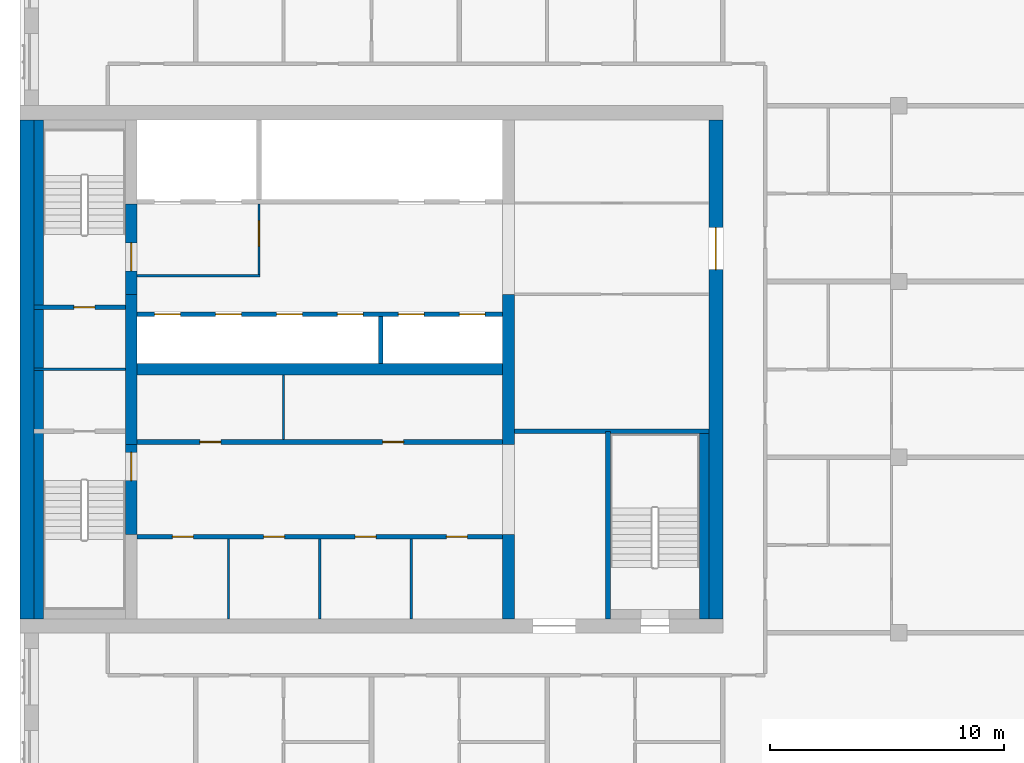
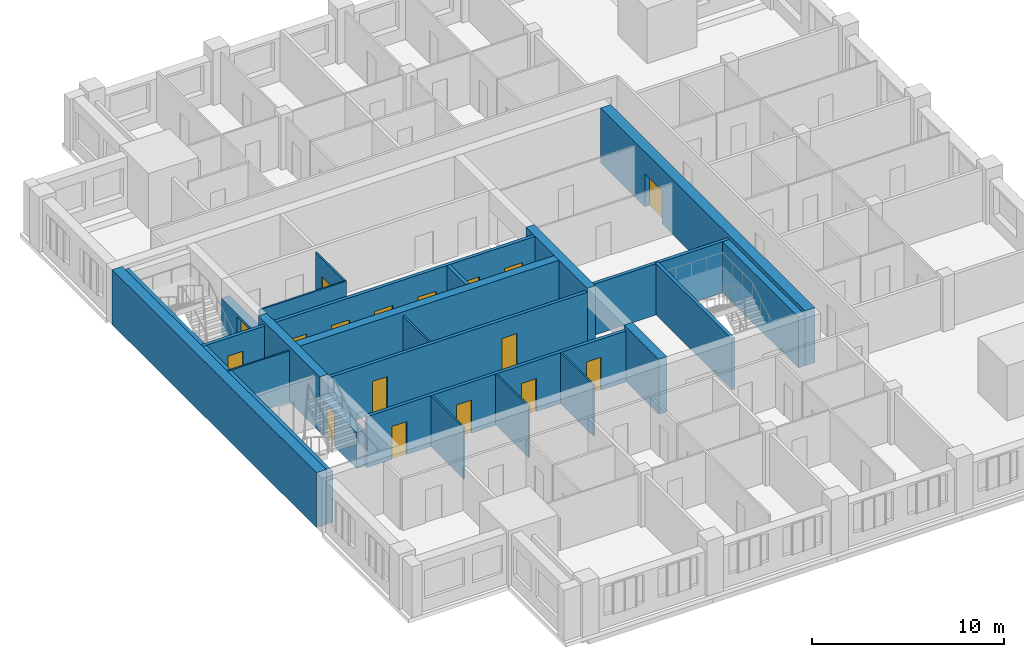
# One storey, part 4 of 10: 24 walls, 17 doors, 17 openings.
"""IFC4 building model written with IfcOpenShell, lengths in metres."""

from ifc_helpers import new_model, si_unit, direction, frame, frame_2d, origin, place, context, subcontext, project, spatial, rectangle, extrude, material, layer, layer_set, type_object, element, fill, save


model = new_model("IFC4")

# Units and contexts
model_context = context("Model", 3, precision=1e-05, world=origin(), true_north=direction((0.0, 1.0)))
body_context = subcontext(model_context, "Body", "Model", "MODEL_VIEW")
ifc_project = project(units=[si_unit("LENGTHUNIT", "METRE"), si_unit("AREAUNIT", "SQUARE_METRE"), si_unit("VOLUMEUNIT", "CUBIC_METRE"), si_unit("PLANEANGLEUNIT", "RADIAN"), si_unit("MASSUNIT", "GRAM", prefix="KILO")], contexts=[model_context])

# Site, building, storey
site_placement = place(None, origin())
site = spatial("IfcSite", under=ifc_project, at=site_placement, CompositionType="ELEMENT")
building_placement = place(site_placement, origin())
building = spatial("IfcBuilding", under=site, at=building_placement, Name="Tamorin Gate", CompositionType="ELEMENT")
storey_placement = place(building_placement, frame((0.0, 0.0, 276.699951171875)))
storey = spatial("IfcBuildingStorey", under=building, at=storey_placement, Name="L69", CompositionType="ELEMENT", Elevation=276.699951171875)

# Wall, openings, doors
ifc_material_1 = material(Name="Concrete C32/40", Category="concrete")
ifc_layer_1 = layer(ifc_material_1, 0.199951171875)
ifc_layer_set_1 = layer_set([ifc_layer_1], Name="Lift lobby face wall 200 EI 120")
wall_type_1 = type_object("IfcWallType", Name="Lift lobby face wall 200 EI 120", PredefinedType="SOLIDWALL", material=ifc_layer_set_1)
wall_1_placement = place(storey_placement, frame((35.0, 73.60009765625, 0.0), z_axis=(0.0, 0.0, 1.0), x_axis=(1.0, 0.0, 0.0)))
wall_1 = element("IfcWall", 1, at=wall_1_placement, inside=storey, type_object=wall_type_1, Name="Lift lobby face wall", PredefinedType="SOLIDWALL", context=body_context, shape_type="SweptSolid", body=[
    extrude(rectangle(XDim=15.60009765625, YDim=0.199951171875, at=frame_2d((7.800048828125, 0.0))), origin(), (0.0, 0.0, 1.0), 3.5),
])
opening_1_placement = place(wall_1_placement, frame((0.75, 0.0, 0.0)))
opening_1 = element("IfcOpeningElement", 2, at=opening_1_placement, cuts=wall_1, Name="Opening LD11", PredefinedType="OPENING", context=body_context, shape_type="SweptSolid", body=[
    extrude(rectangle(XDim=1.10009765625, YDim=2.10009765625, at=frame_2d((0.550048828125, 1.050048828125))), frame((0.0, 0.10986328125, 0.0), z_axis=(0.0, -1.0, 0.0), x_axis=(1.0, 0.0, 0.0)), (0.0, 0.0, 1.0), 0.219970703125),
])
opening_2_placement = place(wall_1_placement, frame((3.35009765625, 0.0, 0.0)))
opening_2 = element("IfcOpeningElement", 3, at=opening_2_placement, cuts=wall_1, Name="Opening LD12", PredefinedType="OPENING", context=body_context, shape_type="SweptSolid", body=[
    extrude(rectangle(XDim=1.10009765625, YDim=2.10009765625, at=frame_2d((0.550048828125, 1.050048828125))), frame((0.0, 0.10986328125, 0.0), z_axis=(0.0, -1.0, 0.0), x_axis=(1.0, 0.0, 0.0)), (0.0, 0.0, 1.0), 0.219970703125),
])
opening_3_placement = place(wall_1_placement, frame((5.949951171875, 0.0, 0.0)))
opening_3 = element("IfcOpeningElement", 4, at=opening_3_placement, cuts=wall_1, Name="Opening LD13", PredefinedType="OPENING", context=body_context, shape_type="SweptSolid", body=[
    extrude(rectangle(XDim=1.10009765625, YDim=2.10009765625, at=frame_2d((0.550048828125, 1.050048828125))), frame((0.0, 0.10986328125, 0.0), z_axis=(0.0, -1.0, 0.0), x_axis=(1.0, 0.0, 0.0)), (0.0, 0.0, 1.0), 0.219970703125),
])
opening_4_placement = place(wall_1_placement, frame((8.550048828125, 0.0, 0.0)))
opening_4 = element("IfcOpeningElement", 5, at=opening_4_placement, cuts=wall_1, Name="Opening LD14", PredefinedType="OPENING", context=body_context, shape_type="SweptSolid", body=[
    extrude(rectangle(XDim=1.10009765625, YDim=2.10009765625, at=frame_2d((0.550048828125, 1.050048828125))), frame((0.0, 0.10986328125, 0.0), z_axis=(0.0, -1.0, 0.0), x_axis=(1.0, 0.0, 0.0)), (0.0, 0.0, 1.0), 0.219970703125),
])
opening_5_placement = place(wall_1_placement, frame((11.14990234375, 0.0, 0.0)))
opening_5 = element("IfcOpeningElement", 6, at=opening_5_placement, cuts=wall_1, Name="Opening LD15", PredefinedType="OPENING", context=body_context, shape_type="SweptSolid", body=[
    extrude(rectangle(XDim=1.10009765625, YDim=2.10009765625, at=frame_2d((0.550048828125, 1.050048828125))), frame((0.0, 0.10986328125, 0.0), z_axis=(0.0, -1.0, 0.0), x_axis=(1.0, 0.0, 0.0)), (0.0, 0.0, 1.0), 0.219970703125),
])
opening_6_placement = place(wall_1_placement, frame((13.75, 0.0, 0.0)))
opening_6 = element("IfcOpeningElement", 7, at=opening_6_placement, cuts=wall_1, Name="Opening LD16", PredefinedType="OPENING", context=body_context, shape_type="SweptSolid", body=[
    extrude(rectangle(XDim=1.10009765625, YDim=2.10009765625, at=frame_2d((0.550048828125, 1.050048828125))), frame((0.0, 0.10986328125, 0.0), z_axis=(0.0, -1.0, 0.0), x_axis=(1.0, 0.0, 0.0)), (0.0, 0.0, 1.0), 0.219970703125),
])
ifc_material_2 = material(Name="Stainless steel sliding door", Category="steel")
door_type_1 = type_object("IfcDoorType", Name="Lift landing door 1100 x 2100 E 90", OperationType="DOUBLE_DOOR_SLIDING", PredefinedType="DOOR", material=ifc_material_2)
door_1_placement = place(opening_1_placement, origin())
door_1 = element("IfcDoor", 8, at=door_1_placement, inside=storey, type_object=door_type_1, Name="HR1 landing door", OperationType="DOUBLE_DOOR_SLIDING", OverallHeight=2.10009765625, OverallWidth=1.10009765625, PredefinedType="DOOR", context=body_context, shape_type="SweptSolid", body=[
    extrude(rectangle(XDim=1.10009765625, YDim=2.10009765625, at=frame_2d((0.550048828125, 1.050048828125))), frame((0.0, 0.02490234375, 0.0), z_axis=(0.0, -1.0, 0.0), x_axis=(1.0, 0.0, 0.0)), (0.0, 0.0, 1.0), 0.050048828125),
])
fill(opening_1, door_1)
door_2_placement = place(opening_2_placement, origin())
door_2 = element("IfcDoor", 9, at=door_2_placement, inside=storey, type_object=door_type_1, Name="HR2 landing door", OperationType="DOUBLE_DOOR_SLIDING", OverallHeight=2.10009765625, OverallWidth=1.10009765625, PredefinedType="DOOR", context=body_context, shape_type="SweptSolid", body=[
    extrude(rectangle(XDim=1.10009765625, YDim=2.10009765625, at=frame_2d((0.550048828125, 1.050048828125))), frame((0.0, 0.02490234375, 0.0), z_axis=(0.0, -1.0, 0.0), x_axis=(1.0, 0.0, 0.0)), (0.0, 0.0, 1.0), 0.050048828125),
])
fill(opening_2, door_2)
door_3_placement = place(opening_3_placement, origin())
door_3 = element("IfcDoor", 10, at=door_3_placement, inside=storey, type_object=door_type_1, Name="HR3 landing door", OperationType="DOUBLE_DOOR_SLIDING", OverallHeight=2.10009765625, OverallWidth=1.10009765625, PredefinedType="DOOR", context=body_context, shape_type="SweptSolid", body=[
    extrude(rectangle(XDim=1.10009765625, YDim=2.10009765625, at=frame_2d((0.550048828125, 1.050048828125))), frame((0.0, 0.02490234375, 0.0), z_axis=(0.0, -1.0, 0.0), x_axis=(1.0, 0.0, 0.0)), (0.0, 0.0, 1.0), 0.050048828125),
])
fill(opening_3, door_3)
door_4_placement = place(opening_4_placement, origin())
door_4 = element("IfcDoor", 11, at=door_4_placement, inside=storey, type_object=door_type_1, Name="HR4 landing door", OperationType="DOUBLE_DOOR_SLIDING", OverallHeight=2.10009765625, OverallWidth=1.10009765625, PredefinedType="DOOR", context=body_context, shape_type="SweptSolid", body=[
    extrude(rectangle(XDim=1.10009765625, YDim=2.10009765625, at=frame_2d((0.550048828125, 1.050048828125))), frame((0.0, 0.02490234375, 0.0), z_axis=(0.0, -1.0, 0.0), x_axis=(1.0, 0.0, 0.0)), (0.0, 0.0, 1.0), 0.050048828125),
])
fill(opening_4, door_4)
door_5_placement = place(opening_5_placement, origin())
door_5 = element("IfcDoor", 12, at=door_5_placement, inside=storey, type_object=door_type_1, Name="HR5 landing door", OperationType="DOUBLE_DOOR_SLIDING", OverallHeight=2.10009765625, OverallWidth=1.10009765625, PredefinedType="DOOR", context=body_context, shape_type="SweptSolid", body=[
    extrude(rectangle(XDim=1.10009765625, YDim=2.10009765625, at=frame_2d((0.550048828125, 1.050048828125))), frame((0.0, 0.02490234375, 0.0), z_axis=(0.0, -1.0, 0.0), x_axis=(1.0, 0.0, 0.0)), (0.0, 0.0, 1.0), 0.050048828125),
])
fill(opening_5, door_5)
door_6_placement = place(opening_6_placement, origin())
door_6 = element("IfcDoor", 13, at=door_6_placement, inside=storey, type_object=door_type_1, Name="HR6 landing door", OperationType="DOUBLE_DOOR_SLIDING", OverallHeight=2.10009765625, OverallWidth=1.10009765625, PredefinedType="DOOR", context=body_context, shape_type="SweptSolid", body=[
    extrude(rectangle(XDim=1.10009765625, YDim=2.10009765625, at=frame_2d((0.550048828125, 1.050048828125))), frame((0.0, 0.02490234375, 0.0), z_axis=(0.0, -1.0, 0.0), x_axis=(1.0, 0.0, 0.0)), (0.0, 0.0, 1.0), 0.050048828125),
])
fill(opening_6, door_6)

# Walls
ifc_layer_2 = layer(ifc_material_1, 0.199951171875)
ifc_layer_set_2 = layer_set([ifc_layer_2], Name="Lift shaft wall 200 EI 120")
wall_type_2 = type_object("IfcWallType", Name="Lift shaft wall 200 EI 120", PredefinedType="SOLIDWALL", material=ifc_layer_set_2)
wall_2_placement = place(storey_placement, frame((45.39990234375, 71.5, 0.0), z_axis=(0.0, 0.0, 1.0), x_axis=(0.0, 1.0, 0.0)))
element("IfcWall", 14, at=wall_2_placement, inside=storey, type_object=wall_type_2, Name="Lift shaft wall", PredefinedType="SOLIDWALL", context=body_context, shape_type="SweptSolid", body=[
    extrude(rectangle(XDim=2.0, YDim=0.199951171875, at=frame_2d((1.0, 0.0))), origin(), (0.0, 0.0, 1.0), 3.5),
])
ifc_material_3 = material(Name="Fire-rated gypsum board partition")
ifc_layer_3 = layer(ifc_material_3, 0.10009765625)
ifc_layer_set_3 = layer_set([ifc_layer_3], Name="Lobby wall 100 EI 60")
wall_type_3 = type_object("IfcWallType", Name="Lobby wall 100 EI 60", PredefinedType="PARTITIONING", material=ifc_layer_set_3)
wall_3_placement = place(storey_placement, frame((35.0, 75.25, 0.0), z_axis=(0.0, 0.0, 1.0), x_axis=(1.0, 0.0, 0.0)))
element("IfcWall", 15, at=wall_3_placement, inside=storey, type_object=wall_type_3, Name="Firefighting lobby wall", PredefinedType="PARTITIONING", context=body_context, shape_type="SweptSolid", body=[
    extrude(rectangle(XDim=5.25, YDim=0.10009765625, at=frame_2d((2.625, 0.0))), origin(), (0.0, 0.0, 1.0), 3.25),
])

# Wall, opening, door
wall_4_placement = place(storey_placement, frame((40.199951171875, 75.300048828125, 0.0), z_axis=(0.0, 0.0, 1.0), x_axis=(0.0, 1.0, 0.0)))
wall_4 = element("IfcWall", 16, at=wall_4_placement, inside=storey, type_object=wall_type_3, Name="Firefighting lobby wall", PredefinedType="PARTITIONING", context=body_context, shape_type="SweptSolid", body=[
    extrude(rectangle(XDim=3.0, YDim=0.10009765625, at=frame_2d((1.5, 0.0))), origin(), (0.0, 0.0, 1.0), 3.25),
])
opening_7_placement = place(wall_4_placement, frame((1.199951171875, 0.0, 0.0)))
opening_7 = element("IfcOpeningElement", 17, at=opening_7_placement, cuts=wall_4, Name="Opening DF1", PredefinedType="OPENING", context=body_context, shape_type="SweptSolid", body=[
    extrude(rectangle(XDim=1.10009765625, YDim=2.10009765625, at=frame_2d((0.550048828125, 1.050048828125))), frame((0.0, 0.06005859375, 0.0), z_axis=(0.0, -1.0, 0.0), x_axis=(1.0, 0.0, 0.0)), (0.0, 0.0, 1.0), 0.1201171875),
])
ifc_material_4 = material(Name="Steel fire door", Category="steel")
door_type_2 = type_object("IfcDoorType", Name="Firefighting lobby door 1100 x 2100 EI 90", OperationType="SINGLE_SWING_LEFT", PredefinedType="DOOR", material=ifc_material_4)
door_7_placement = place(opening_7_placement, origin())
door_7 = element("IfcDoor", 18, at=door_7_placement, inside=storey, type_object=door_type_2, Name="Firefighting lobby door", OperationType="SINGLE_SWING_LEFT", OverallHeight=2.10009765625, OverallWidth=1.10009765625, PredefinedType="DOOR", context=body_context, shape_type="SweptSolid", body=[
    extrude(rectangle(XDim=1.10009765625, YDim=2.10009765625, at=frame_2d((0.550048828125, 1.050048828125))), frame((0.0, 0.02490234375, 0.0), z_axis=(0.0, -1.0, 0.0), x_axis=(1.0, 0.0, 0.0)), (0.0, 0.0, 1.0), 0.050048828125),
])
fill(opening_7, door_7)

# Walls
ifc_material_5 = material(Name="Concrete C50/60", Category="concrete")
ifc_layer_4 = layer(ifc_material_5, 0.5)
ifc_layer_set_4 = layer_set([ifc_layer_4], Name="RC core internal wall 500 C50/60")
wall_type_4 = type_object("IfcWallType", Name="RC core internal wall 500 C50/60", PredefinedType="SHEAR", material=ifc_layer_set_4)
wall_5_placement = place(storey_placement, frame((35.0, 71.25, 0.0), z_axis=(0.0, 0.0, 1.0), x_axis=(1.0, 0.0, 0.0)))
element("IfcWall", 19, at=wall_5_placement, inside=storey, type_object=wall_type_4, Name="Core spine wall L69", PredefinedType="SHEAR", context=body_context, shape_type="SweptSolid", body=[
    extrude(rectangle(XDim=15.60009765625, YDim=0.5, at=frame_2d((7.800048828125, 0.0))), origin(), (0.0, 0.0, 1.0), 3.5),
])
wall_6_placement = place(storey_placement, frame((34.75, 68.050048828125, 0.0), z_axis=(0.0, 0.0, 1.0), x_axis=(0.0, 1.0, 0.0)))
element("IfcWall", 20, at=wall_6_placement, inside=storey, type_object=wall_type_4, Name="Core cross wall L69", PredefinedType="SHEAR", context=body_context, shape_type="SweptSolid", body=[
    extrude(rectangle(XDim=6.39990234375, YDim=0.5, at=frame_2d((3.199951171875, 0.0))), origin(), (0.0, 0.0, 1.0), 3.5),
])
wall_7_placement = place(storey_placement, frame((50.85009765625, 60.60009765625, 0.0), z_axis=(0.0, 0.0, 1.0), x_axis=(0.0, 1.0, 0.0)))
element("IfcWall", 21, at=wall_7_placement, inside=storey, type_object=wall_type_4, Name="Core cross wall L69", PredefinedType="SHEAR", context=body_context, shape_type="SweptSolid", body=[
    extrude(rectangle(XDim=3.599853515625, YDim=0.5, at=frame_2d((1.7998046875, 0.0))), origin(), (0.0, 0.0, 1.0), 3.5),
])
wall_8_placement = place(storey_placement, frame((50.85009765625, 68.050048828125, 0.0), z_axis=(0.0, 0.0, 1.0), x_axis=(0.0, 1.0, 0.0)))
element("IfcWall", 22, at=wall_8_placement, inside=storey, type_object=wall_type_4, Name="Core cross wall L69", PredefinedType="SHEAR", context=body_context, shape_type="SweptSolid", body=[
    extrude(rectangle(XDim=6.39990234375, YDim=0.5, at=frame_2d((3.199951171875, 0.0))), origin(), (0.0, 0.0, 1.0), 3.5),
])
ifc_layer_5 = layer(ifc_material_5, 0.60009765625)
ifc_layer_set_5 = layer_set([ifc_layer_5], Name="RC core wall 600 C50/60")
wall_type_5 = type_object("IfcWallType", Name="RC core wall 600 C50/60", PredefinedType="SHEAR", material=ifc_layer_set_5)
wall_9_placement = place(storey_placement, frame((30.300048828125, 60.60009765625, 0.0), z_axis=(0.0, 0.0, 1.0), x_axis=(0.0, 1.0, 0.0)))
element("IfcWall", 23, at=wall_9_placement, inside=storey, type_object=wall_type_5, Name="Core wall L69", PredefinedType="SHEAR", context=body_context, shape_type="SweptSolid", body=[
    extrude(rectangle(XDim=21.2998046875, YDim=0.60009765625, at=frame_2d((10.64990234375, 0.0))), origin(), (0.0, 0.0, 1.0), 3.5),
])

# Wall, opening, door
wall_10_placement = place(storey_placement, frame((59.699951171875, 60.60009765625, 0.0), z_axis=(0.0, 0.0, 1.0), x_axis=(0.0, 1.0, 0.0)))
wall_10 = element("IfcWall", 24, at=wall_10_placement, inside=storey, type_object=wall_type_5, Name="Core wall L69", PredefinedType="SHEAR", context=body_context, shape_type="SweptSolid", body=[
    extrude(rectangle(XDim=21.2998046875, YDim=0.60009765625, at=frame_2d((10.64990234375, 0.0))), origin(), (0.0, 0.0, 1.0), 3.5),
])
opening_8_placement = place(wall_10_placement, frame((14.89990234375, 0.0, 0.0)))
opening_8 = element("IfcOpeningElement", 25, at=opening_8_placement, cuts=wall_10, Name="Opening DE1", PredefinedType="OPENING", context=body_context, shape_type="SweptSolid", body=[
    extrude(rectangle(XDim=1.800048828125, YDim=2.10009765625, at=frame_2d((0.89990234375, 1.050048828125))), frame((0.0, 0.31005859375, 0.0), z_axis=(0.0, -1.0, 0.0), x_axis=(1.0, 0.0, 0.0)), (0.0, 0.0, 1.0), 0.6201171875),
])
door_type_3 = type_object("IfcDoorType", Name="Lobby exit double door 1800 x 2100 EI 60", OperationType="DOUBLE_DOOR_SINGLE_SWING", PredefinedType="DOOR", material=ifc_material_4)
door_8_placement = place(opening_8_placement, origin())
door_8 = element("IfcDoor", 26, at=door_8_placement, inside=storey, type_object=door_type_3, Name="Lift lobby B exit door", OperationType="DOUBLE_DOOR_SINGLE_SWING", OverallHeight=2.10009765625, OverallWidth=1.800048828125, PredefinedType="DOOR", context=body_context, shape_type="SweptSolid", body=[
    extrude(rectangle(XDim=1.800048828125, YDim=2.10009765625, at=frame_2d((0.89990234375, 1.050048828125))), frame((0.0, 0.02490234375, 0.0), z_axis=(0.0, -1.0, 0.0), x_axis=(1.0, 0.0, 0.0)), (0.0, 0.0, 1.0), 0.050048828125),
])
fill(opening_8, door_8)

# Wall
ifc_layer_6 = layer(ifc_material_3, 0.10009765625)
ifc_layer_set_6 = layer_set([ifc_layer_6], Name="Riser partition 100 EI 120")
wall_type_6 = type_object("IfcWallType", Name="Riser partition 100 EI 120", PredefinedType="PARTITIONING", material=ifc_layer_set_6)
wall_11_placement = place(storey_placement, frame((30.60009765625, 71.25, 0.0), z_axis=(0.0, 0.0, 1.0), x_axis=(1.0, 0.0, 0.0)))
element("IfcWall", 27, at=wall_11_placement, inside=storey, type_object=wall_type_6, Name="Riser partition", PredefinedType="PARTITIONING", context=body_context, shape_type="SweptSolid", body=[
    extrude(rectangle(XDim=3.89990234375, YDim=0.10009765625, at=frame_2d((1.949951171875, 0.0))), origin(), (0.0, 0.0, 1.0), 3.25),
])

# Wall, openings, doors
ifc_material_6 = material(Name="Gypsum board partition")
ifc_layer_7 = layer(ifc_material_6, 0.199951171875)
ifc_layer_set_7 = layer_set([ifc_layer_7], Name="Service room face wall 200 EI 60")
wall_type_7 = type_object("IfcWallType", Name="Service room face wall 200 EI 60", PredefinedType="PARTITIONING", material=ifc_layer_set_7)
wall_12_placement = place(storey_placement, frame((35.0, 64.10009765625, 0.0), z_axis=(0.0, 0.0, 1.0), x_axis=(1.0, 0.0, 0.0)))
wall_12 = element("IfcWall", 28, at=wall_12_placement, inside=storey, type_object=wall_type_7, Name="Service room face wall", PredefinedType="PARTITIONING", context=body_context, shape_type="SweptSolid", body=[
    extrude(rectangle(XDim=15.60009765625, YDim=0.199951171875, at=frame_2d((7.800048828125, 0.0))), origin(), (0.0, 0.0, 1.0), 3.25),
])
opening_9_placement = place(wall_12_placement, frame((1.5, 0.0, 0.0)))
opening_9 = element("IfcOpeningElement", 29, at=opening_9_placement, cuts=wall_12, Name="Opening DK1", PredefinedType="OPENING", context=body_context, shape_type="SweptSolid", body=[
    extrude(rectangle(XDim=0.89990234375, YDim=2.10009765625, at=frame_2d((0.449951171875, 1.050048828125))), frame((0.0, 0.10986328125, 0.0), z_axis=(0.0, -1.0, 0.0), x_axis=(1.0, 0.0, 0.0)), (0.0, 0.0, 1.0), 0.219970703125),
])
opening_10_placement = place(wall_12_placement, frame((5.39990234375, 0.0, 0.0)))
opening_10 = element("IfcOpeningElement", 30, at=opening_10_placement, cuts=wall_12, Name="Opening DK1", PredefinedType="OPENING", context=body_context, shape_type="SweptSolid", body=[
    extrude(rectangle(XDim=0.89990234375, YDim=2.10009765625, at=frame_2d((0.449951171875, 1.050048828125))), frame((0.0, 0.10986328125, 0.0), z_axis=(0.0, -1.0, 0.0), x_axis=(1.0, 0.0, 0.0)), (0.0, 0.0, 1.0), 0.219970703125),
])
opening_11_placement = place(wall_12_placement, frame((9.300048828125, 0.0, 0.0)))
opening_11 = element("IfcOpeningElement", 31, at=opening_11_placement, cuts=wall_12, Name="Opening DK1", PredefinedType="OPENING", context=body_context, shape_type="SweptSolid", body=[
    extrude(rectangle(XDim=0.89990234375, YDim=2.10009765625, at=frame_2d((0.449951171875, 1.050048828125))), frame((0.0, 0.10986328125, 0.0), z_axis=(0.0, -1.0, 0.0), x_axis=(1.0, 0.0, 0.0)), (0.0, 0.0, 1.0), 0.219970703125),
])
opening_12_placement = place(wall_12_placement, frame((13.199951171875, 0.0, 0.0)))
opening_12 = element("IfcOpeningElement", 32, at=opening_12_placement, cuts=wall_12, Name="Opening DK1", PredefinedType="OPENING", context=body_context, shape_type="SweptSolid", body=[
    extrude(rectangle(XDim=0.89990234375, YDim=2.10009765625, at=frame_2d((0.449951171875, 1.050048828125))), frame((0.0, 0.10986328125, 0.0), z_axis=(0.0, -1.0, 0.0), x_axis=(1.0, 0.0, 0.0)), (0.0, 0.0, 1.0), 0.219970703125),
])
ifc_material_7 = material(Name="Timber fire door", Category="wood")
door_type_4 = type_object("IfcDoorType", Name="Service room door 900 x 2100 EI 60", OperationType="SINGLE_SWING_LEFT", PredefinedType="DOOR", material=ifc_material_7)
door_9_placement = place(opening_9_placement, origin())
door_9 = element("IfcDoor", 33, at=door_9_placement, inside=storey, type_object=door_type_4, Name="Door Wine store", OperationType="SINGLE_SWING_LEFT", OverallHeight=2.10009765625, OverallWidth=0.89990234375, PredefinedType="DOOR", context=body_context, shape_type="SweptSolid", body=[
    extrude(rectangle(XDim=0.89990234375, YDim=2.10009765625, at=frame_2d((0.449951171875, 1.050048828125))), frame((0.0, 0.02490234375, 0.0), z_axis=(0.0, -1.0, 0.0), x_axis=(1.0, 0.0, 0.0)), (0.0, 0.0, 1.0), 0.050048828125),
])
fill(opening_9, door_9)
door_10_placement = place(opening_10_placement, origin())
door_10 = element("IfcDoor", 34, at=door_10_placement, inside=storey, type_object=door_type_4, Name="Door Cleaner's store", OperationType="SINGLE_SWING_RIGHT", OverallHeight=2.10009765625, OverallWidth=0.89990234375, PredefinedType="DOOR", context=body_context, shape_type="SweptSolid", body=[
    extrude(rectangle(XDim=0.89990234375, YDim=2.10009765625, at=frame_2d((0.449951171875, 1.050048828125))), frame((0.0, 0.02490234375, 0.0), z_axis=(0.0, -1.0, 0.0), x_axis=(1.0, 0.0, 0.0)), (0.0, 0.0, 1.0), 0.050048828125),
])
fill(opening_10, door_10)
door_11_placement = place(opening_11_placement, origin())
door_11 = element("IfcDoor", 35, at=door_11_placement, inside=storey, type_object=door_type_4, Name="Door Pantry", OperationType="SINGLE_SWING_LEFT", OverallHeight=2.10009765625, OverallWidth=0.89990234375, PredefinedType="DOOR", context=body_context, shape_type="SweptSolid", body=[
    extrude(rectangle(XDim=0.89990234375, YDim=2.10009765625, at=frame_2d((0.449951171875, 1.050048828125))), frame((0.0, 0.02490234375, 0.0), z_axis=(0.0, -1.0, 0.0), x_axis=(1.0, 0.0, 0.0)), (0.0, 0.0, 1.0), 0.050048828125),
])
fill(opening_11, door_11)
door_12_placement = place(opening_12_placement, origin())
door_12 = element("IfcDoor", 36, at=door_12_placement, inside=storey, type_object=door_type_4, Name="Door Linen store", OperationType="SINGLE_SWING_RIGHT", OverallHeight=2.10009765625, OverallWidth=0.89990234375, PredefinedType="DOOR", context=body_context, shape_type="SweptSolid", body=[
    extrude(rectangle(XDim=0.89990234375, YDim=2.10009765625, at=frame_2d((0.449951171875, 1.050048828125))), frame((0.0, 0.02490234375, 0.0), z_axis=(0.0, -1.0, 0.0), x_axis=(1.0, 0.0, 0.0)), (0.0, 0.0, 1.0), 0.050048828125),
])
fill(opening_12, door_12)

wall_13_placement = place(storey_placement, frame((35.0, 68.14990234375, 0.0), z_axis=(0.0, 0.0, 1.0), x_axis=(1.0, 0.0, 0.0)))
wall_13 = element("IfcWall", 37, at=wall_13_placement, inside=storey, type_object=wall_type_7, Name="Service room face wall", PredefinedType="PARTITIONING", context=body_context, shape_type="SweptSolid", body=[
    extrude(rectangle(XDim=15.60009765625, YDim=0.199951171875, at=frame_2d((7.800048828125, 0.0))), origin(), (0.0, 0.0, 1.0), 3.25),
])
opening_13_placement = place(wall_13_placement, frame((2.675048828125, 0.0, 0.0)))
opening_13 = element("IfcOpeningElement", 38, at=opening_13_placement, cuts=wall_13, Name="Opening DK1", PredefinedType="OPENING", context=body_context, shape_type="SweptSolid", body=[
    extrude(rectangle(XDim=0.89990234375, YDim=2.10009765625, at=frame_2d((0.449951171875, 1.050048828125))), frame((0.0, 0.10986328125, 0.0), z_axis=(0.0, -1.0, 0.0), x_axis=(1.0, 0.0, 0.0)), (0.0, 0.0, 1.0), 0.219970703125),
])
opening_14_placement = place(wall_13_placement, frame((10.47509765625, 0.0, 0.0)))
opening_14 = element("IfcOpeningElement", 39, at=opening_14_placement, cuts=wall_13, Name="Opening DK1", PredefinedType="OPENING", context=body_context, shape_type="SweptSolid", body=[
    extrude(rectangle(XDim=0.89990234375, YDim=2.10009765625, at=frame_2d((0.449951171875, 1.050048828125))), frame((0.0, 0.10986328125, 0.0), z_axis=(0.0, -1.0, 0.0), x_axis=(1.0, 0.0, 0.0)), (0.0, 0.0, 1.0), 0.219970703125),
])
door_13_placement = place(opening_13_placement, origin())
door_13 = element("IfcDoor", 40, at=door_13_placement, inside=storey, type_object=door_type_4, Name="Door Housekeeping store", OperationType="SINGLE_SWING_LEFT", OverallHeight=2.10009765625, OverallWidth=0.89990234375, PredefinedType="DOOR", context=body_context, shape_type="SweptSolid", body=[
    extrude(rectangle(XDim=0.89990234375, YDim=2.10009765625, at=frame_2d((0.449951171875, 1.050048828125))), frame((0.0, 0.02490234375, 0.0), z_axis=(0.0, -1.0, 0.0), x_axis=(1.0, 0.0, 0.0)), (0.0, 0.0, 1.0), 0.050048828125),
])
fill(opening_13, door_13)
door_14_placement = place(opening_14_placement, origin())
door_14 = element("IfcDoor", 41, at=door_14_placement, inside=storey, type_object=door_type_4, Name="Door Electrical and IT room", OperationType="SINGLE_SWING_RIGHT", OverallHeight=2.10009765625, OverallWidth=0.89990234375, PredefinedType="DOOR", context=body_context, shape_type="SweptSolid", body=[
    extrude(rectangle(XDim=0.89990234375, YDim=2.10009765625, at=frame_2d((0.449951171875, 1.050048828125))), frame((0.0, 0.02490234375, 0.0), z_axis=(0.0, -1.0, 0.0), x_axis=(1.0, 0.0, 0.0)), (0.0, 0.0, 1.0), 0.050048828125),
])
fill(opening_14, door_14)

# Walls
ifc_layer_8 = layer(ifc_material_6, 0.10009765625)
ifc_layer_set_8 = layer_set([ifc_layer_8], Name="Service room partition 100 EI 60")
wall_type_8 = type_object("IfcWallType", Name="Service room partition 100 EI 60", PredefinedType="PARTITIONING", material=ifc_layer_set_8)
for number, where, z_axis, x_axis, name in (
    (42, (38.89990234375, 60.60009765625, 0.0), (0.0, 0.0, 1.0), (0.0, 1.0, 0.0), "Service room partition"),
    (43, (42.800048828125, 60.60009765625, 0.0), (0.0, 0.0, 1.0), (0.0, 1.0, 0.0), "Service room partition"),
    (44, (46.699951171875, 60.60009765625, 0.0), (0.0, 0.0, 1.0), (0.0, 1.0, 0.0), "Service room partition"),
):
    element("IfcWall", number, at=place(storey_placement, frame(where, z_axis=z_axis, x_axis=x_axis)), inside=storey, type_object=wall_type_8, Name=name, PredefinedType="PARTITIONING", context=body_context, shape_type="SweptSolid", body=[
        extrude(rectangle(XDim=3.39990234375, YDim=0.10009765625, at=frame_2d((1.699951171875, 0.0))), origin(), (0.0, 0.0, 1.0), 3.25),
    ])
wall_14_placement = place(storey_placement, frame((41.25, 68.25, 0.0), z_axis=(0.0, 0.0, 1.0), x_axis=(0.0, 1.0, 0.0)))
element("IfcWall", 45, at=wall_14_placement, inside=storey, type_object=wall_type_8, Name="Service room partition", PredefinedType="PARTITIONING", context=body_context, shape_type="SweptSolid", body=[
    extrude(rectangle(XDim=2.75, YDim=0.10009765625, at=frame_2d((1.375, 0.0))), origin(), (0.0, 0.0, 1.0), 3.25),
])

# Wall, opening, door
ifc_material_8 = material(Name="Concrete C40/50", Category="concrete")
ifc_layer_9 = layer(ifc_material_8, 0.199951171875)
ifc_layer_set_9 = layer_set([ifc_layer_9], Name="Stair enclosure wall 200 EI 120 C40/50")
wall_type_9 = type_object("IfcWallType", Name="Stair enclosure wall 200 EI 120 C40/50", PredefinedType="SOLIDWALL", material=ifc_layer_set_9)
wall_15_placement = place(storey_placement, frame((30.60009765625, 73.89990234375, 0.0), z_axis=(0.0, 0.0, 1.0), x_axis=(1.0, 0.0, 0.0)))
wall_15 = element("IfcWall", 46, at=wall_15_placement, inside=storey, type_object=wall_type_9, Name="Stair enclosure wall", PredefinedType="SOLIDWALL", context=body_context, shape_type="SweptSolid", body=[
    extrude(rectangle(XDim=3.89990234375, YDim=0.199951171875, at=frame_2d((1.949951171875, 0.0))), origin(), (0.0, 0.0, 1.0), 3.25),
])
opening_15_placement = place(wall_15_placement, frame((1.699951171875, 0.0, 0.0)))
opening_15 = element("IfcOpeningElement", 47, at=opening_15_placement, cuts=wall_15, Name="Opening DR1", PredefinedType="OPENING", context=body_context, shape_type="SweptSolid", body=[
    extrude(rectangle(XDim=0.89990234375, YDim=2.10009765625, at=frame_2d((0.449951171875, 1.050048828125))), frame((0.0, 0.10986328125, 0.0), z_axis=(0.0, -1.0, 0.0), x_axis=(1.0, 0.0, 0.0)), (0.0, 0.0, 1.0), 0.219970703125),
])
door_type_5 = type_object("IfcDoorType", Name="Riser access door 900 x 2100 EI 120", OperationType="SINGLE_SWING_LEFT", PredefinedType="DOOR", material=ifc_material_4)
door_15_placement = place(opening_15_placement, origin())
door_15 = element("IfcDoor", 48, at=door_15_placement, inside=storey, type_object=door_type_5, Name="Communications riser door", OperationType="SINGLE_SWING_RIGHT", OverallHeight=2.10009765625, OverallWidth=0.89990234375, PredefinedType="DOOR", context=body_context, shape_type="SweptSolid", body=[
    extrude(rectangle(XDim=0.89990234375, YDim=2.10009765625, at=frame_2d((0.449951171875, 1.050048828125))), frame((0.0, 0.02490234375, 0.0), z_axis=(0.0, -1.0, 0.0), x_axis=(1.0, 0.0, 0.0)), (0.0, 0.0, 1.0), 0.050048828125),
])
fill(opening_15, door_15)

# Walls
wall_16_placement = place(storey_placement, frame((55.10009765625, 60.60009765625, 0.0), z_axis=(0.0, 0.0, 1.0), x_axis=(0.0, 1.0, 0.0)))
element("IfcWall", 49, at=wall_16_placement, inside=storey, type_object=wall_type_9, Name="Stair enclosure wall", PredefinedType="SOLIDWALL", context=body_context, shape_type="SweptSolid", body=[
    extrude(rectangle(XDim=8.0, YDim=0.199951171875, at=frame_2d((4.0, 0.0))), origin(), (0.0, 0.0, 1.0), 3.25),
])
wall_17_placement = place(storey_placement, frame((51.10009765625, 68.60009765625, 0.0), z_axis=(0.0, 0.0, 1.0), x_axis=(1.0, 0.0, 0.0)))
element("IfcWall", 50, at=wall_17_placement, inside=storey, type_object=wall_type_9, Name="Stair enclosure wall", PredefinedType="SOLIDWALL", context=body_context, shape_type="SweptSolid", body=[
    extrude(rectangle(XDim=8.2998046875, YDim=0.199951171875, at=frame_2d((4.14990234375, 0.0))), origin(), (0.0, 0.0, 1.0), 3.25),
])
ifc_layer_10 = layer(ifc_material_5, 0.39990234375)
ifc_layer_set_10 = layer_set([ifc_layer_10], Name="Stair lining wall 400 EI 120 C50/60")
wall_type_10 = type_object("IfcWallType", Name="Stair lining wall 400 EI 120 C50/60", PredefinedType="SOLIDWALL", material=ifc_layer_set_10)
wall_18_placement = place(storey_placement, frame((30.800048828125, 60.60009765625, 0.0), z_axis=(0.0, 0.0, 1.0), x_axis=(0.0, 1.0, 0.0)))
element("IfcWall", 51, at=wall_18_placement, inside=storey, type_object=wall_type_10, Name="Stair lining wall", PredefinedType="SOLIDWALL", context=body_context, shape_type="SweptSolid", body=[
    extrude(rectangle(XDim=21.2998046875, YDim=0.39990234375, at=frame_2d((10.64990234375, 0.0))), origin(), (0.0, 0.0, 1.0), 3.25),
])
wall_19_placement = place(storey_placement, frame((59.199951171875, 60.60009765625, 0.0), z_axis=(0.0, 0.0, 1.0), x_axis=(0.0, 1.0, 0.0)))
element("IfcWall", 52, at=wall_19_placement, inside=storey, type_object=wall_type_10, Name="Stair lining wall", PredefinedType="SOLIDWALL", context=body_context, shape_type="SweptSolid", body=[
    extrude(rectangle(XDim=7.89990234375, YDim=0.39990234375, at=frame_2d((3.949951171875, 0.0))), origin(), (0.0, 0.0, 1.0), 3.25),
])

# Wall, opening, door
ifc_layer_11 = layer(ifc_material_1, 0.5)
ifc_layer_set_11 = layer_set([ifc_layer_11], Name="Stair lobby infill wall 500 EI 120")
wall_type_11 = type_object("IfcWallType", Name="Stair lobby infill wall 500 EI 120", PredefinedType="SOLIDWALL", material=ifc_layer_set_11)
wall_20_placement = place(storey_placement, frame((34.75, 64.199951171875, 0.0), z_axis=(0.0, 0.0, 1.0), x_axis=(0.0, 1.0, 0.0)))
wall_20 = element("IfcWall", 53, at=wall_20_placement, inside=storey, type_object=wall_type_11, Name="Stair lobby infill wall", PredefinedType="SOLIDWALL", context=body_context, shape_type="SweptSolid", body=[
    extrude(rectangle(XDim=3.85009765625, YDim=0.5, at=frame_2d((1.925048828125, 0.0))), origin(), (0.0, 0.0, 1.0), 2.300048828125),
])
opening_16_placement = place(wall_20_placement, frame((2.300048828125, 0.0, 0.0)))
opening_16 = element("IfcOpeningElement", 54, at=opening_16_placement, cuts=wall_20, Name="Opening DS1", PredefinedType="OPENING", context=body_context, shape_type="SweptSolid", body=[
    extrude(rectangle(XDim=1.199951171875, YDim=2.10009765625, at=frame_2d((0.60009765625, 1.050048828125))), frame((0.0, 0.260009765625, 0.0), z_axis=(0.0, -1.0, 0.0), x_axis=(1.0, 0.0, 0.0)), (0.0, 0.0, 1.0), 0.52001953125),
])
door_type_6 = type_object("IfcDoorType", Name="Stair door 1200 x 2100 EI 90", OperationType="SINGLE_SWING_LEFT", PredefinedType="DOOR", material=ifc_material_4)
door_16_placement = place(opening_16_placement, origin())
door_16 = element("IfcDoor", 55, at=door_16_placement, inside=storey, type_object=door_type_6, Name="ST1 door", OperationType="SINGLE_SWING_LEFT", OverallHeight=2.10009765625, OverallWidth=1.199951171875, PredefinedType="DOOR", context=body_context, shape_type="SweptSolid", body=[
    extrude(rectangle(XDim=1.199951171875, YDim=2.10009765625, at=frame_2d((0.60009765625, 1.050048828125))), frame((0.0, 0.02490234375, 0.0), z_axis=(0.0, -1.0, 0.0), x_axis=(1.0, 0.0, 0.0)), (0.0, 0.0, 1.0), 0.050048828125),
])
fill(opening_16, door_16)

wall_21_placement = place(storey_placement, frame((34.75, 74.449951171875, 0.0), z_axis=(0.0, 0.0, 1.0), x_axis=(0.0, 1.0, 0.0)))
wall_21 = element("IfcWall", 56, at=wall_21_placement, inside=storey, type_object=wall_type_11, Name="Stair lobby infill wall", PredefinedType="SOLIDWALL", context=body_context, shape_type="SweptSolid", body=[
    extrude(rectangle(XDim=3.85009765625, YDim=0.5, at=frame_2d((1.925048828125, 0.0))), origin(), (0.0, 0.0, 1.0), 2.300048828125),
])
opening_17_placement = place(wall_21_placement, frame((1.0, 0.0, 0.0)))
opening_17 = element("IfcOpeningElement", 57, at=opening_17_placement, cuts=wall_21, Name="Opening DS1", PredefinedType="OPENING", context=body_context, shape_type="SweptSolid", body=[
    extrude(rectangle(XDim=1.199951171875, YDim=2.10009765625, at=frame_2d((0.60009765625, 1.050048828125))), frame((0.0, 0.260009765625, 0.0), z_axis=(0.0, -1.0, 0.0), x_axis=(1.0, 0.0, 0.0)), (0.0, 0.0, 1.0), 0.52001953125),
])
door_17_placement = place(opening_17_placement, origin())
door_17 = element("IfcDoor", 58, at=door_17_placement, inside=storey, type_object=door_type_6, Name="ST2 door", OperationType="SINGLE_SWING_RIGHT", OverallHeight=2.10009765625, OverallWidth=1.199951171875, PredefinedType="DOOR", context=body_context, shape_type="SweptSolid", body=[
    extrude(rectangle(XDim=1.199951171875, YDim=2.10009765625, at=frame_2d((0.60009765625, 1.050048828125))), frame((0.0, 0.02490234375, 0.0), z_axis=(0.0, -1.0, 0.0), x_axis=(1.0, 0.0, 0.0)), (0.0, 0.0, 1.0), 0.050048828125),
])
fill(opening_17, door_17)

save(model, "model.ifc")
